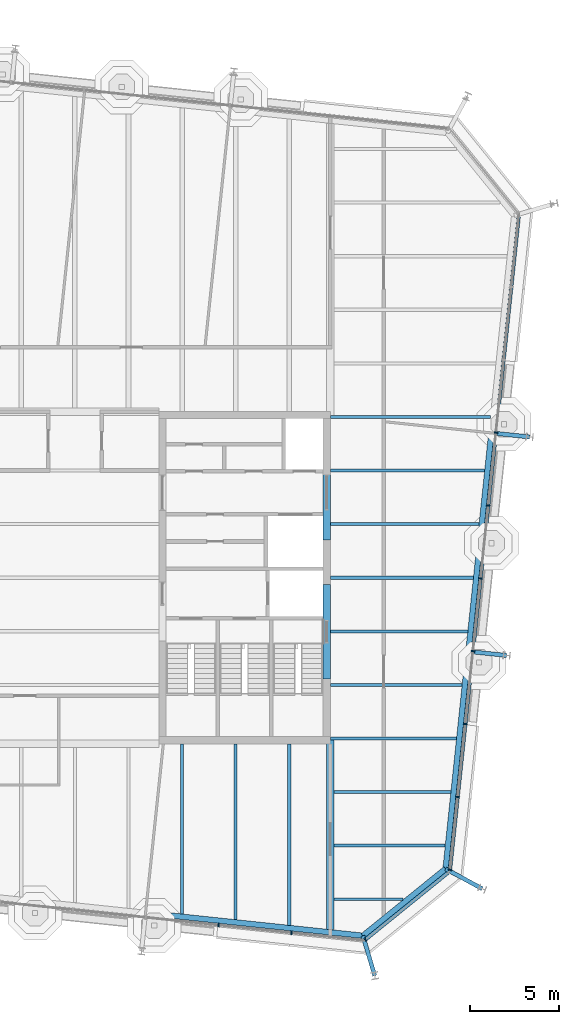
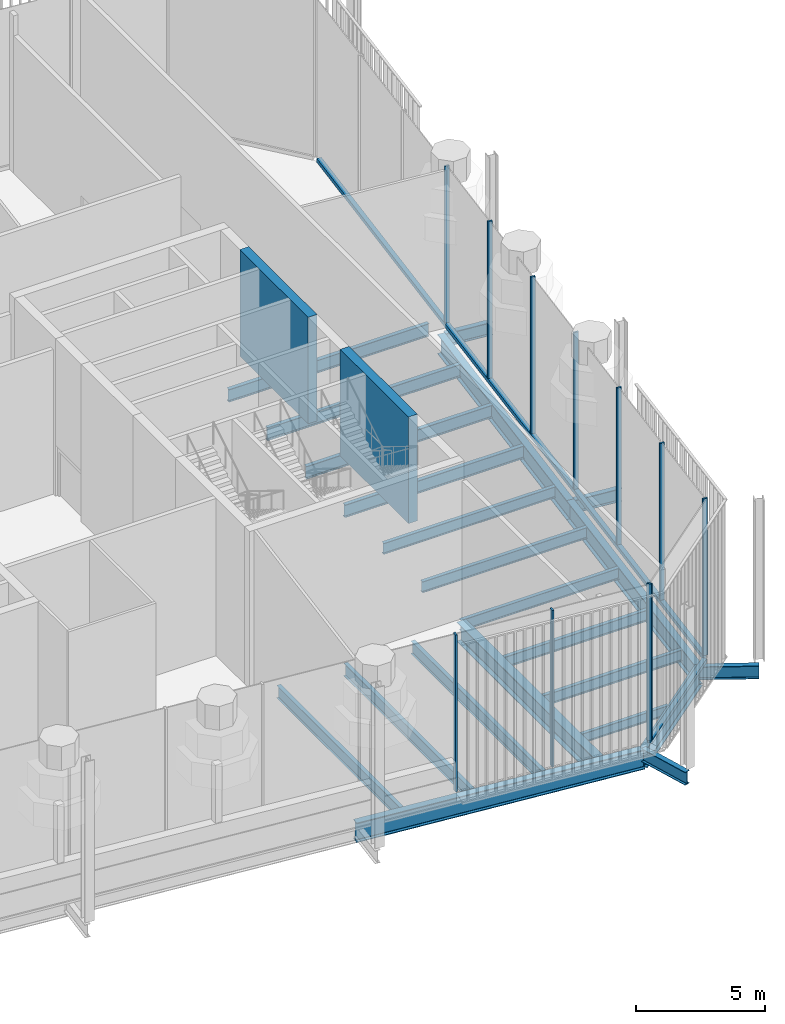
# One storey, part 5 of 17: 24 beams, 12 members, 3 elements without a shape of their own.
"""IFC4 building model written with IfcOpenShell, lengths in metres."""

from ifc_helpers import new_model, si_unit, direction, frame, origin, origin_2d, place, context, subcontext, project, spatial, rectangle, i_section, extrude, material, layer, layer_set, material_profile, profile_set, type_object, element, aggregate, save


model = new_model("IFC4")

# Units and contexts
model_context = context("Model", 3, precision=1e-05, world=origin(), true_north=direction((0.0, 1.0)))
body_context = subcontext(model_context, "Body", "Model", "MODEL_VIEW")
ifc_project = project(units=[si_unit("LENGTHUNIT", "METRE"), si_unit("AREAUNIT", "SQUARE_METRE"), si_unit("VOLUMEUNIT", "CUBIC_METRE"), si_unit("PLANEANGLEUNIT", "RADIAN"), si_unit("MASSUNIT", "GRAM", prefix="KILO")], contexts=[model_context])

# Site, building, storey
site_placement = place(None, origin())
site = spatial("IfcSite", under=ifc_project, at=site_placement, CompositionType="ELEMENT")
building_placement = place(site_placement, origin())
building = spatial("IfcBuilding", under=site, at=building_placement, Name="Millrace Tower", CompositionType="ELEMENT")
storey_placement = place(building_placement, frame((0.0, 0.0, 311.10009765625)))
storey = spatial("IfcBuildingStorey", under=building, at=storey_placement, Name="L72", CompositionType="ELEMENT", Elevation=311.10009765625)

# Curtain wall, members
ifc_material_1 = material(Name="Aluminium and glass", Category="aluminium")
ifc_layer = layer(ifc_material_1, 0.199951171875)
ifc_layer_set = layer_set([ifc_layer], Name="Aluminium and glass")
curtain_wall_type = type_object("IfcCurtainWallType", Name="CW-4 sky garden winter glazing", PredefinedType="NOTDEFINED", material=ifc_layer_set)
placement = place(storey_placement, origin())
curtain_wall_1 = element("IfcCurtainWall", 1, at=placement, inside=storey, type_object=curtain_wall_type, Name="Curtain wall E-F02 L72", PredefinedType="NOTDEFINED")
ifc_material_2 = material(Name="Aluminium", Category="aluminium")
ifc_material_profile_1 = material_profile(ifc_material_2, rectangle(XDim=0.080078125, YDim=0.199951171875, at=origin_2d()))
ifc_profile_set_1 = profile_set([ifc_material_profile_1], Name="Aluminium")
member_type_1 = type_object("IfcMemberType", Name="CW-4 sky garden winter glazing mullion", PredefinedType="MULLION", material=ifc_profile_set_1)
member_1_placement = place(storey_placement, frame((8.045166015625, -19.450439453125, 0.179931640625), z_axis=(0.0, 0.0, 1.0), x_axis=(0.994521896217, -0.104528455196, 0.0)))
member_1 = element("IfcMember", 2, at=member_1_placement, type_object=member_type_1, Name="CW4 mullion E-F02.8", PredefinedType="MULLION", context=body_context, shape_type="SweptSolid", body=[
    extrude(rectangle(XDim=0.080078125, YDim=0.199951171875, at=origin_2d()), origin(), (0.0, 0.0, 1.0), 7.419921875),
])
member_2_placement = place(storey_placement, frame((12.122802734375, -19.87890625, 0.179931640625), z_axis=(0.0, 0.0, 1.0), x_axis=(0.994521896217, -0.104528455196, 0.0)))
member_2 = element("IfcMember", 3, at=member_2_placement, type_object=member_type_1, Name="CW4 mullion E-F02.9", PredefinedType="MULLION", context=body_context, shape_type="SweptSolid", body=[
    extrude(rectangle(XDim=0.080078125, YDim=0.199951171875, at=origin_2d()), origin(), (0.0, 0.0, 1.0), 7.419921875),
])
aggregate(curtain_wall_1, [member_1, member_2])

# Curtain wall, member
curtain_wall_2 = element("IfcCurtainWall", 4, at=placement, inside=storey, type_object=curtain_wall_type, Name="Curtain wall E-F03 L72", PredefinedType="NOTDEFINED")
member_3_placement = place(storey_placement, frame((16.264892578125, -20.25634765625, 0.179931640625), z_axis=(0.0, 0.0, 1.0), x_axis=(0.777146052237, 0.629320278945, 0.0)))
member_3 = element("IfcMember", 5, at=member_3_placement, type_object=member_type_1, Name="CW4 mullion E-F03.1", PredefinedType="MULLION", context=body_context, shape_type="SweptSolid", body=[
    extrude(rectangle(XDim=0.080078125, YDim=0.199951171875, at=origin_2d()), origin(), (0.0, 0.0, 1.0), 7.419921875),
])

# Curtain wall, members
curtain_wall_3 = element("IfcCurtainWall", 6, at=placement, inside=storey, type_object=curtain_wall_type, Name="Curtain wall E-F04 L72", PredefinedType="NOTDEFINED")
member_4_placement = place(storey_placement, frame((21.00048828125, -16.34765625, 0.179931640625), z_axis=(0.0, 0.0, 1.0), x_axis=(0.104528455196, 0.994521896217, 0.0)))
member_4 = element("IfcMember", 7, at=member_4_placement, type_object=member_type_1, Name="CW4 mullion E-F04.1", PredefinedType="MULLION", context=body_context, shape_type="SweptSolid", body=[
    extrude(rectangle(XDim=0.080078125, YDim=0.199951171875, at=origin_2d()), origin(), (0.0, 0.0, 1.0), 7.419921875),
])
member_5_placement = place(storey_placement, frame((21.428955078125, -12.27001953125, 0.179931640625), z_axis=(0.0, 0.0, 1.0), x_axis=(0.104528455196, 0.994521896217, 0.0)))
member_5 = element("IfcMember", 8, at=member_5_placement, type_object=member_type_1, Name="CW4 mullion E-F04.2", PredefinedType="MULLION", context=body_context, shape_type="SweptSolid", body=[
    extrude(rectangle(XDim=0.080078125, YDim=0.199951171875, at=origin_2d()), origin(), (0.0, 0.0, 1.0), 7.419921875),
])
member_6_placement = place(storey_placement, frame((21.857666015625, -8.192626953125, 0.179931640625), z_axis=(0.0, 0.0, 1.0), x_axis=(0.104528455196, 0.994521896217, 0.0)))
member_6 = element("IfcMember", 9, at=member_6_placement, type_object=member_type_1, Name="CW4 mullion E-F04.3", PredefinedType="MULLION", context=body_context, shape_type="SweptSolid", body=[
    extrude(rectangle(XDim=0.080078125, YDim=0.199951171875, at=origin_2d()), origin(), (0.0, 0.0, 1.0), 7.419921875),
])
member_7_placement = place(storey_placement, frame((22.2861328125, -4.114990234375, 0.179931640625), z_axis=(0.0, 0.0, 1.0), x_axis=(0.104528455196, 0.994521896217, 0.0)))
member_7 = element("IfcMember", 10, at=member_7_placement, type_object=member_type_1, Name="CW4 mullion E-F04.4", PredefinedType="MULLION", context=body_context, shape_type="SweptSolid", body=[
    extrude(rectangle(XDim=0.080078125, YDim=0.199951171875, at=origin_2d()), origin(), (0.0, 0.0, 1.0), 7.419921875),
])
member_8_placement = place(storey_placement, frame((22.71484375, -0.037353515625, 0.179931640625), z_axis=(0.0, 0.0, 1.0), x_axis=(0.104528455196, 0.994521896217, 0.0)))
member_8 = element("IfcMember", 11, at=member_8_placement, type_object=member_type_1, Name="CW4 mullion E-F04.5", PredefinedType="MULLION", context=body_context, shape_type="SweptSolid", body=[
    extrude(rectangle(XDim=0.080078125, YDim=0.199951171875, at=origin_2d()), origin(), (0.0, 0.0, 1.0), 7.419921875),
])
member_9_placement = place(storey_placement, frame((23.143310546875, 4.0400390625, 0.179931640625), z_axis=(0.0, 0.0, 1.0), x_axis=(0.104528455196, 0.994521896217, 0.0)))
member_9 = element("IfcMember", 12, at=member_9_placement, type_object=member_type_1, Name="CW4 mullion E-F04.6", PredefinedType="MULLION", context=body_context, shape_type="SweptSolid", body=[
    extrude(rectangle(XDim=0.080078125, YDim=0.199951171875, at=origin_2d()), origin(), (0.0, 0.0, 1.0), 7.419921875),
])
member_10_placement = place(storey_placement, frame((23.57177734375, 8.11767578125, 0.179931640625), z_axis=(0.0, 0.0, 1.0), x_axis=(0.104528455196, 0.994521896217, 0.0)))
member_10 = element("IfcMember", 13, at=member_10_placement, type_object=member_type_1, Name="CW4 mullion E-F04.7", PredefinedType="MULLION", context=body_context, shape_type="SweptSolid", body=[
    extrude(rectangle(XDim=0.080078125, YDim=0.199951171875, at=origin_2d()), origin(), (0.0, 0.0, 1.0), 7.419921875),
])

# Member
ifc_material_3 = material(Name="Aluminium", Category="aluminium")
ifc_material_profile_2 = material_profile(ifc_material_3, rectangle(XDim=0.199951171875, YDim=0.179931640625, at=origin_2d()))
ifc_profile_set_2 = profile_set([ifc_material_profile_2], Name="Aluminium")
member_type_2 = type_object("IfcMemberType", Name="CW-4 sky garden winter glazing transom", PredefinedType="USERDEFINED", material=ifc_profile_set_2)
member_11_placement = place(storey_placement, frame((16.3115234375, -20.21875, 0.08984375), z_axis=(0.777145289151, 0.629321221277, 0.0), x_axis=(-0.629321221277, 0.777145289151, 0.0)))
member_11 = element("IfcMember", 14, at=member_11_placement, type_object=member_type_2, Name="CW4 transom E-F03.1", ObjectType="TRANSOM", PredefinedType="USERDEFINED", context=body_context, shape_type="SweptSolid", body=[
    extrude(rectangle(XDim=0.199951171875, YDim=0.179931640625, at=origin_2d()), origin(), (0.0, 0.0, 1.0), 5.881103515625),
])

aggregate(curtain_wall_2, [member_3, member_11])

member_12_placement = place(storey_placement, frame((21.0068359375, -16.287841796875, 0.08984375), z_axis=(0.104528607573, 0.994521880201, 0.0), x_axis=(-0.994521880201, 0.104528607573, 0.0)))
member_12 = element("IfcMember", 15, at=member_12_placement, type_object=member_type_2, Name="CW4 transom E-F04.1", ObjectType="TRANSOM", PredefinedType="USERDEFINED", context=body_context, shape_type="SweptSolid", body=[
    extrude(rectangle(XDim=0.199951171875, YDim=0.179931640625, at=origin_2d()), origin(), (0.0, 0.0, 1.0), 36.69970703125),
])

aggregate(curtain_wall_3, [member_4, member_5, member_6, member_7, member_8, member_9, member_10, member_12])

# Beams
ifc_material_4 = material(Name="Concrete C60", Category="concrete")
ifc_material_profile_3 = material_profile(ifc_material_4, rectangle(XDim=0.39990234375, YDim=5.0400390625, at=origin_2d()))
ifc_profile_set_3 = profile_set([ifc_material_profile_3], Name="Concrete C60")
beam_type_1 = type_object("IfcBeamType", Name="Coupling beam 400 x 5040 Concrete C60, 1300 opening", PredefinedType="BEAM", material=ifc_profile_set_3)
beam_1_placement = place(storey_placement, frame((14.10009765625, -0.384033203125, 4.919921875), z_axis=(0.0, -1.0, 0.0), x_axis=(1.0, 0.0, 0.0)))
element("IfcBeam", 16, at=beam_1_placement, inside=storey, type_object=beam_type_1, Name="Coupling beam E L72", PredefinedType="BEAM", context=body_context, shape_type="SweptSolid", body=[
    extrude(rectangle(XDim=0.39990234375, YDim=5.0400390625, at=origin_2d()), origin(), (0.0, 0.0, 1.0), 5.2919921875),
])
ifc_material_5 = material(Name="Concrete C60", Category="concrete")
ifc_material_profile_4 = material_profile(ifc_material_5, rectangle(XDim=0.39990234375, YDim=5.0400390625, at=origin_2d()))
ifc_profile_set_4 = profile_set([ifc_material_profile_4], Name="Concrete C60")
beam_type_2 = type_object("IfcBeamType", Name="Coupling beam 400 x 5040 Concrete C60, 2000 opening", PredefinedType="BEAM", material=ifc_profile_set_4)
beam_2_placement = place(storey_placement, frame((14.10009765625, 7.39599609375, 4.919921875), z_axis=(0.0, -1.0, 0.0), x_axis=(1.0, 0.0, 0.0)))
element("IfcBeam", 17, at=beam_2_placement, inside=storey, type_object=beam_type_2, Name="Coupling beam E L72", PredefinedType="BEAM", context=body_context, shape_type="SweptSolid", body=[
    extrude(rectangle(XDim=0.39990234375, YDim=5.0400390625, at=origin_2d()), origin(), (0.0, 0.0, 1.0), 5.2919921875),
])
ifc_material_6 = material(Name="Steel ASTM A992 Grade 50", Category="steel")
ifc_material_profile_5 = material_profile(ifc_material_6, i_section(OverallWidth=0.15234375, OverallDepth=0.449462890625, WebThickness=0.007568359375, FlangeThickness=0.0107421875, FilletRadius=0.01025390625, at=origin_2d()))
ifc_profile_set_5 = profile_set([ifc_material_profile_5], Name="Steel ASTM A992 Grade 50")
beam_type_3 = type_object("IfcBeamType", Name="Floor beam W18x35", PredefinedType="JOIST", material=ifc_profile_set_5)
beam_3_placement = place(storey_placement, frame((14.509521484375, -18.0, -0.474853515625), z_axis=(1.0, 0.0, 0.0), x_axis=(0.0, 1.0, 0.0)))
element("IfcBeam", 18, at=beam_3_placement, inside=storey, type_object=beam_type_3, Name="BM-E-L72-S1-S001", PredefinedType="JOIST", context=body_context, shape_type="SweptSolid", body=[
    extrude(i_section(OverallWidth=0.15234375, OverallDepth=0.449462890625, WebThickness=0.007568359375, FlangeThickness=0.0107421875, FilletRadius=0.01025390625, at=origin_2d()), origin(), (0.0, 0.0, 1.0), 3.87060546875),
])
ifc_material_7 = material(Name="Steel ASTM A992 Grade 50", Category="steel")
ifc_material_profile_6 = material_profile(ifc_material_7, i_section(OverallWidth=0.1650390625, OverallDepth=0.52587890625, WebThickness=0.0087890625, FlangeThickness=0.011474609375, FilletRadius=0.0126953125, at=origin_2d()))
ifc_profile_set_6 = profile_set([ifc_material_profile_6], Name="Steel ASTM A992 Grade 50")
beam_type_4 = type_object("IfcBeamType", Name="Floor beam W21x44", PredefinedType="JOIST", material=ifc_profile_set_6)
beam_4_placement = place(storey_placement, frame((14.509521484375, -15.0, -0.512939453125), z_axis=(1.0, 0.0, 0.0), x_axis=(0.0, 1.0, 0.0)))
element("IfcBeam", 19, at=beam_4_placement, inside=storey, type_object=beam_type_4, Name="BM-E-L72-S1-S003", PredefinedType="JOIST", context=body_context, shape_type="SweptSolid", body=[
    extrude(i_section(OverallWidth=0.1650390625, OverallDepth=0.52587890625, WebThickness=0.0087890625, FlangeThickness=0.011474609375, FilletRadius=0.0126953125, at=origin_2d()), origin(), (0.0, 0.0, 1.0), 6.222900390625),
])
beam_5_placement = place(storey_placement, frame((14.509521484375, -12.0, -0.512939453125), z_axis=(1.0, 0.0, 0.0), x_axis=(0.0, 1.0, 0.0)))
element("IfcBeam", 20, at=beam_5_placement, inside=storey, type_object=beam_type_4, Name="BM-E-L72-S1-S005", PredefinedType="JOIST", context=body_context, shape_type="SweptSolid", body=[
    extrude(i_section(OverallWidth=0.1650390625, OverallDepth=0.52587890625, WebThickness=0.0087890625, FlangeThickness=0.011474609375, FilletRadius=0.0126953125, at=origin_2d()), origin(), (0.0, 0.0, 1.0), 6.538330078125),
])
beam_6_placement = place(storey_placement, frame((14.300048828125, -9.0, -0.512939453125), z_axis=(1.0, 0.0, 0.0), x_axis=(0.0, 1.0, 0.0)))
element("IfcBeam", 21, at=beam_6_placement, inside=storey, type_object=beam_type_4, Name="BM-E-L72-S1-S007", PredefinedType="JOIST", context=body_context, shape_type="SweptSolid", body=[
    extrude(i_section(OverallWidth=0.1650390625, OverallDepth=0.52587890625, WebThickness=0.0087890625, FlangeThickness=0.011474609375, FilletRadius=0.0126953125, at=origin_2d()), origin(), (0.0, 0.0, 1.0), 7.06298828125),
])
beam_7_placement = place(storey_placement, frame((14.300048828125, -6.0, -0.512939453125), z_axis=(1.0, 0.0, 0.0), x_axis=(0.0, 1.0, 0.0)))
element("IfcBeam", 22, at=beam_7_placement, inside=storey, type_object=beam_type_4, Name="BM-E-L72-S1-S010", PredefinedType="JOIST", context=body_context, shape_type="SweptSolid", body=[
    extrude(i_section(OverallWidth=0.1650390625, OverallDepth=0.52587890625, WebThickness=0.0087890625, FlangeThickness=0.011474609375, FilletRadius=0.0126953125, at=origin_2d()), origin(), (0.0, 0.0, 1.0), 7.37841796875),
])
beam_8_placement = place(storey_placement, frame((14.300048828125, -3.0, -0.512939453125), z_axis=(1.0, 0.0, 0.0), x_axis=(0.0, 1.0, 0.0)))
element("IfcBeam", 23, at=beam_8_placement, inside=storey, type_object=beam_type_4, Name="BM-E-L72-S1-S013", PredefinedType="JOIST", context=body_context, shape_type="SweptSolid", body=[
    extrude(i_section(OverallWidth=0.1650390625, OverallDepth=0.52587890625, WebThickness=0.0087890625, FlangeThickness=0.011474609375, FilletRadius=0.0126953125, at=origin_2d()), origin(), (0.0, 0.0, 1.0), 7.693603515625),
])
ifc_material_8 = material(Name="Steel ASTM A992 Grade 50", Category="steel")
ifc_material_profile_7 = material_profile(ifc_material_8, i_section(OverallWidth=0.177978515625, OverallDepth=0.599365234375, WebThickness=0.010009765625, FlangeThickness=0.012939453125, FilletRadius=0.012939453125, at=origin_2d()))
ifc_profile_set_7 = profile_set([ifc_material_profile_7], Name="Steel ASTM A992 Grade 50")
beam_type_5 = type_object("IfcBeamType", Name="Floor beam W24x55", PredefinedType="JOIST", material=ifc_profile_set_7)
beam_9_placement = place(storey_placement, frame((14.300048828125, 0.0, -0.5498046875), z_axis=(1.0, 0.0, 0.0), x_axis=(0.0, 1.0, 0.0)))
element("IfcBeam", 24, at=beam_9_placement, inside=storey, type_object=beam_type_5, Name="BM-E-L72-S1-S016", PredefinedType="JOIST", context=body_context, shape_type="SweptSolid", body=[
    extrude(i_section(OverallWidth=0.177978515625, OverallDepth=0.599365234375, WebThickness=0.010009765625, FlangeThickness=0.012939453125, FilletRadius=0.012939453125, at=origin_2d()), origin(), (0.0, 0.0, 1.0), 8.009033203125),
])
beam_10_placement = place(storey_placement, frame((14.300048828125, 3.0, -0.5498046875), z_axis=(1.0, 0.0, 0.0), x_axis=(0.0, 1.0, 0.0)))
element("IfcBeam", 25, at=beam_10_placement, inside=storey, type_object=beam_type_5, Name="BM-E-L72-S1-S019", PredefinedType="JOIST", context=body_context, shape_type="SweptSolid", body=[
    extrude(i_section(OverallWidth=0.177978515625, OverallDepth=0.599365234375, WebThickness=0.010009765625, FlangeThickness=0.012939453125, FilletRadius=0.012939453125, at=origin_2d()), origin(), (0.0, 0.0, 1.0), 8.324462890625),
])
beam_11_placement = place(storey_placement, frame((14.300048828125, 6.0, -0.5498046875), z_axis=(1.0, 0.0, 0.0), x_axis=(0.0, 1.0, 0.0)))
element("IfcBeam", 26, at=beam_11_placement, inside=storey, type_object=beam_type_5, Name="BM-E-L72-S1-S022", PredefinedType="JOIST", context=body_context, shape_type="SweptSolid", body=[
    extrude(i_section(OverallWidth=0.177978515625, OverallDepth=0.599365234375, WebThickness=0.010009765625, FlangeThickness=0.012939453125, FilletRadius=0.012939453125, at=origin_2d()), origin(), (0.0, 0.0, 1.0), 8.6396484375),
])
beam_12_placement = place(storey_placement, frame((14.300048828125, 9.0, -0.5498046875), z_axis=(1.0, 0.0, 0.0), x_axis=(0.0, 1.0, 0.0)))
element("IfcBeam", 27, at=beam_12_placement, inside=storey, type_object=beam_type_5, Name="BM-E-L72-S1-S024", PredefinedType="JOIST", context=body_context, shape_type="SweptSolid", body=[
    extrude(i_section(OverallWidth=0.177978515625, OverallDepth=0.599365234375, WebThickness=0.010009765625, FlangeThickness=0.012939453125, FilletRadius=0.012939453125, at=origin_2d()), origin(), (0.0, 0.0, 1.0), 8.955078125),
])
beam_13_placement = place(storey_placement, frame((6.0, -18.825927734375, -0.5498046875), z_axis=(0.0, 1.0, 0.0), x_axis=(-1.0, 0.0, 0.0)))
element("IfcBeam", 28, at=beam_13_placement, inside=storey, type_object=beam_type_5, Name="BM-E-L72-S1-S049", PredefinedType="JOIST", context=body_context, shape_type="SweptSolid", body=[
    extrude(i_section(OverallWidth=0.177978515625, OverallDepth=0.599365234375, WebThickness=0.010009765625, FlangeThickness=0.012939453125, FilletRadius=0.012939453125, at=origin_2d()), origin(), (0.0, 0.0, 1.0), 9.52587890625),
])
beam_14_placement = place(storey_placement, frame((9.0, -19.14111328125, -0.5498046875), z_axis=(0.0, 1.0, 0.0), x_axis=(-1.0, 0.0, 0.0)))
element("IfcBeam", 29, at=beam_14_placement, inside=storey, type_object=beam_type_5, Name="BM-E-L72-S1-S051", PredefinedType="JOIST", context=body_context, shape_type="SweptSolid", body=[
    extrude(i_section(OverallWidth=0.177978515625, OverallDepth=0.599365234375, WebThickness=0.010009765625, FlangeThickness=0.012939453125, FilletRadius=0.012939453125, at=origin_2d()), origin(), (0.0, 0.0, 1.0), 9.841064453125),
])
ifc_material_9 = material(Name="Steel ASTM A992 Grade 50", Category="steel")
ifc_material_profile_8 = material_profile(ifc_material_9, i_section(OverallWidth=0.1787109375, OverallDepth=0.60205078125, WebThickness=0.010986328125, FlangeThickness=0.014892578125, FilletRadius=0.0126953125, at=origin_2d()))
ifc_profile_set_8 = profile_set([ifc_material_profile_8], Name="Steel ASTM A992 Grade 50")
beam_type_6 = type_object("IfcBeamType", Name="Floor beam W24x62", PredefinedType="JOIST", material=ifc_profile_set_8)
beam_15_placement = place(storey_placement, frame((12.0, -19.45654296875, -0.551025390625), z_axis=(0.0, 1.0, 0.0), x_axis=(-1.0, 0.0, 0.0)))
element("IfcBeam", 30, at=beam_15_placement, inside=storey, type_object=beam_type_6, Name="BM-E-L72-S1-S053", PredefinedType="JOIST", context=body_context, shape_type="SweptSolid", body=[
    extrude(i_section(OverallWidth=0.1787109375, OverallDepth=0.60205078125, WebThickness=0.010986328125, FlangeThickness=0.014892578125, FilletRadius=0.0126953125, at=origin_2d()), origin(), (0.0, 0.0, 1.0), 10.156494140625),
])
ifc_material_10 = material(Name="Steel ASTM A992 Grade 50", Category="steel")
ifc_material_profile_9 = material_profile(ifc_material_10, i_section(OverallWidth=0.419189453125, OverallDepth=0.927001953125, WebThickness=0.019287109375, FlangeThickness=0.031982421875, FilletRadius=0.024169921875, at=origin_2d()))
ifc_profile_set_9 = profile_set([ifc_material_profile_9], Name="Steel ASTM A992 Grade 50")
beam_type_7 = type_object("IfcBeamType", Name="Girder short span W36x231", PredefinedType="BEAM", material=ifc_profile_set_9)
beam_16_placement = place(storey_placement, frame((14.300048828125, -19.6982421875, -0.713623046875), z_axis=(0.0, 1.0, 0.0), x_axis=(-1.0, 0.0, 0.0)))
element("IfcBeam", 31, at=beam_16_placement, inside=storey, type_object=beam_type_7, Name="BM-E-L72-S1-G057", PredefinedType="BEAM", context=body_context, shape_type="SweptSolid", body=[
    extrude(i_section(OverallWidth=0.419189453125, OverallDepth=0.927001953125, WebThickness=0.019287109375, FlangeThickness=0.031982421875, FilletRadius=0.024169921875, at=origin_2d()), origin(), (0.0, 0.0, 1.0), 10.6142578125),
])
ifc_material_11 = material(Name="Steel ASTM A992 Grade 50", Category="steel")
ifc_material_profile_10 = material_profile(ifc_material_11, i_section(OverallWidth=0.23046875, OverallDepth=0.6171875, WebThickness=0.01318359375, FlangeThickness=0.022216796875, FilletRadius=0.012939453125, at=origin_2d()))
ifc_profile_set_10 = profile_set([ifc_material_profile_10], Name="Steel ASTM A992 Grade 50")
beam_type_8 = type_object("IfcBeamType", Name="Link beam W24x94", PredefinedType="BEAM", material=ifc_profile_set_10)
for number, where, z_axis, x_axis, name in (
    (32, (23.46826171875, 8.08837890625, -0.55859375), (0.994512808172, -0.104614886044, 0.0), (0.104614886044, 0.994512808172, 0.0), "LNK-E-L72-S1-10"),
    (33, (22.1826171875, -4.144287109375, -0.55859375), (0.99452550138, -0.104494148666, 0.0), (0.104494148666, 0.99452550138, 0.0), "LNK-E-L72-S1-11"),
):
    element("IfcBeam", number, at=place(storey_placement, frame(where, z_axis=z_axis, x_axis=x_axis)), inside=storey, type_object=beam_type_8, Name=name, PredefinedType="BEAM", context=body_context, shape_type="SweptSolid", body=[
        extrude(i_section(OverallWidth=0.23046875, OverallDepth=0.6171875, WebThickness=0.01318359375, FlangeThickness=0.022216796875, FilletRadius=0.012939453125, at=origin_2d()), origin(), (0.0, 0.0, 1.0), 2.0),
    ])
for number, where, z_axis, x_axis, name in (
    (34, (20.750732421875, -16.297607421875, -0.55859375), (0.87881453358, -0.477163510307, 0.0), (0.477163510307, 0.87881453358, 0.0), "LNK-E-L72-S1-12"),
    (35, (16.123779296875, -20.04443359375, -0.55859375), (0.283934988541, -0.958843533785, 0.0), (0.958843533785, 0.283934988541, 0.0), "LNK-E-L72-S1-13"),
):
    element("IfcBeam", number, at=place(storey_placement, frame(where, z_axis=z_axis, x_axis=x_axis)), inside=storey, type_object=beam_type_8, Name=name, PredefinedType="BEAM", context=body_context, shape_type="SweptSolid", body=[
        extrude(i_section(OverallWidth=0.23046875, OverallDepth=0.6171875, WebThickness=0.01318359375, FlangeThickness=0.022216796875, FilletRadius=0.012939453125, at=origin_2d()), origin(), (0.0, 0.0, 1.0), 2.3310546875),
    ])
ifc_material_12 = material(Name="Steel ASTM A992 Grade 50", Category="steel")
ifc_material_profile_11 = material_profile(ifc_material_12, i_section(OverallWidth=0.307373046875, OverallDepth=0.927001953125, WebThickness=0.01953125, FlangeThickness=0.031982421875, FilletRadius=0.01904296875, at=origin_2d()))
ifc_profile_set_11 = profile_set([ifc_material_profile_11], Name="Steel ASTM A992 Grade 50")
beam_type_9 = type_object("IfcBeamType", Name="Ring beam medium span W36x194", PredefinedType="SPANDREL", material=ifc_profile_set_11)
beam_17_placement = place(storey_placement, frame((23.3154296875, 8.104248046875, -0.713623046875), z_axis=(-0.10452566363, -0.994522189618, 0.0), x_axis=(0.994522189618, -0.10452566363, 0.0)))
element("IfcBeam", 36, at=beam_17_placement, inside=storey, type_object=beam_type_9, Name="RNG-E-L72-S1-10", PredefinedType="SPANDREL", context=body_context, shape_type="SweptSolid", body=[
    extrude(i_section(OverallWidth=0.307373046875, OverallDepth=0.927001953125, WebThickness=0.01953125, FlangeThickness=0.031982421875, FilletRadius=0.01904296875, at=origin_2d()), origin(), (0.0, 0.0, 1.0), 12.2998046875),
])
for number, where, z_axis, x_axis, name in (
    (37, (22.02978515625, -4.128173828125, -0.713623046875), (-0.104527955888, -0.994521948696, 0.0), (0.994521948696, -0.104527955888, 0.0), "RNG-E-L72-S1-11"),
    (38, (16.123779296875, -20.04443359375, -0.713623046875), (-0.994521948696, 0.104527955888, 0.0), (-0.104527955888, -0.994521948696, 0.0), "RNG-E-L72-S1-13"),
):
    element("IfcBeam", number, at=place(storey_placement, frame(where, z_axis=z_axis, x_axis=x_axis)), inside=storey, type_object=beam_type_9, Name=name, PredefinedType="SPANDREL", context=body_context, shape_type="SweptSolid", body=[
        extrude(i_section(OverallWidth=0.307373046875, OverallDepth=0.927001953125, WebThickness=0.01953125, FlangeThickness=0.031982421875, FilletRadius=0.01904296875, at=origin_2d()), origin(), (0.0, 0.0, 1.0), 12.236572265625),
    ])
ifc_material_13 = material(Name="Steel ASTM A992 Grade 50", Category="steel")
ifc_material_profile_12 = material_profile(ifc_material_13, i_section(OverallWidth=0.307373046875, OverallDepth=0.927001953125, WebThickness=0.01953125, FlangeThickness=0.031982421875, FilletRadius=0.01904296875, at=origin_2d()))
ifc_profile_set_12 = profile_set([ifc_material_profile_12], Name="Steel ASTM A992 Grade 50")
beam_type_10 = type_object("IfcBeamType", Name="Ring beam short span W36x194", PredefinedType="SPANDREL", material=ifc_profile_set_12)
beam_18_placement = place(storey_placement, frame((20.750732421875, -16.297607421875, -0.713623046875), z_axis=(-0.777146502883, -0.629319722443, 0.0), x_axis=(0.629319722443, -0.777146502883, 0.0)))
element("IfcBeam", 39, at=beam_18_placement, inside=storey, type_object=beam_type_10, Name="RNG-E-L72-S1-12", PredefinedType="SPANDREL", context=body_context, shape_type="SweptSolid", body=[
    extrude(i_section(OverallWidth=0.307373046875, OverallDepth=0.927001953125, WebThickness=0.01953125, FlangeThickness=0.031982421875, FilletRadius=0.01904296875, at=origin_2d()), origin(), (0.0, 0.0, 1.0), 5.953857421875),
])

save(model, "model.ifc")
